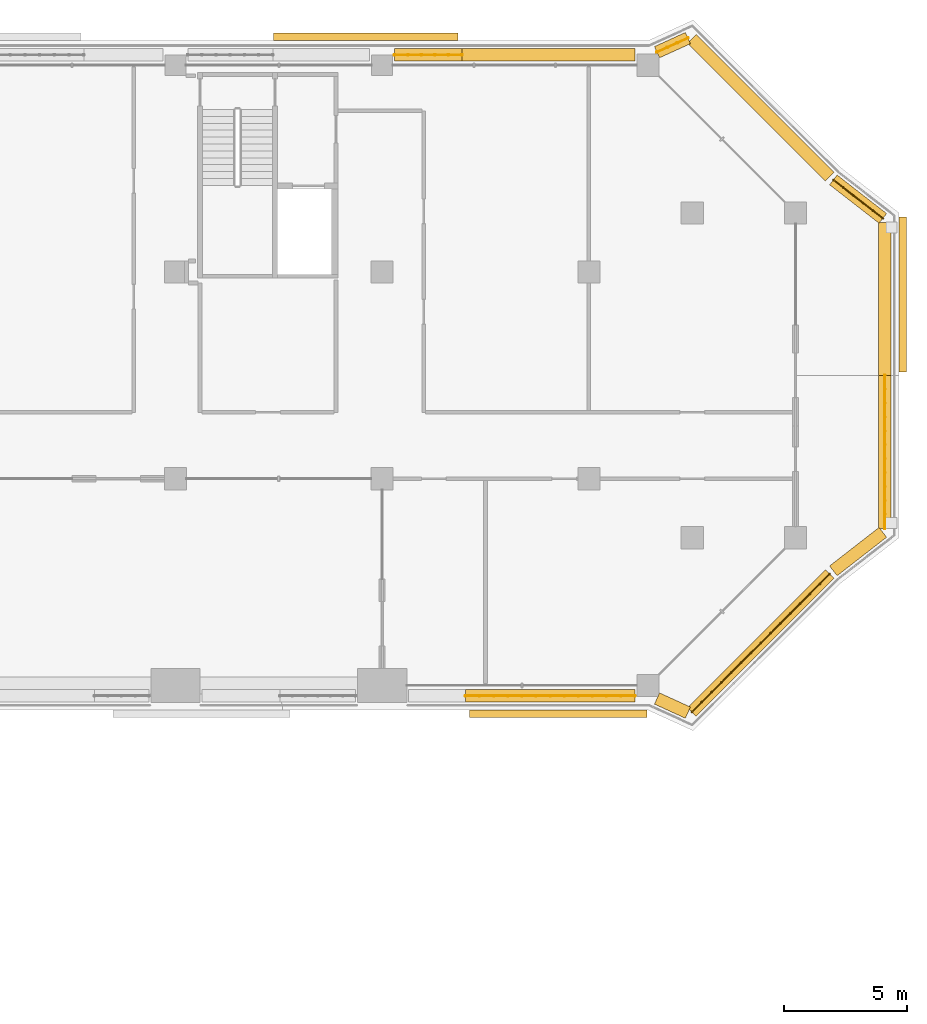
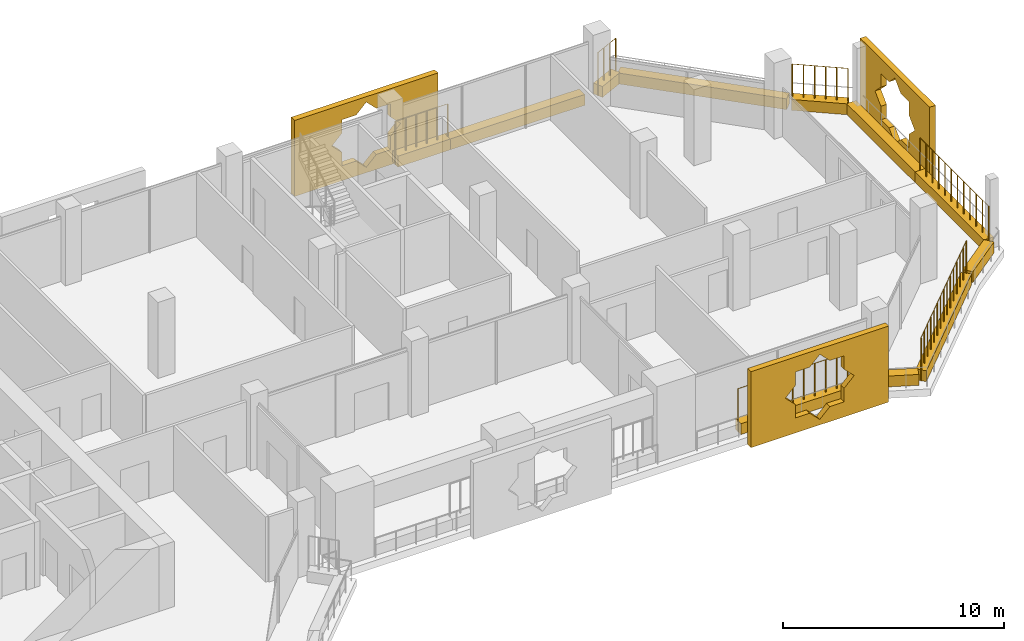
# One storey, part 24 of 24: 14 coverings, 6 railings.
"""IFC4 building model written with IfcOpenShell, lengths in metres."""

from ifc_helpers import new_model, si_unit, direction, frame, origin, origin_2d, place, context, subcontext, project, spatial, polyline, rectangle, circle, outline, extrude, material, material_profile, profile_set, type_object, element, save


model = new_model("IFC4")

# Units and contexts
model_context = context("Model", 3, precision=1e-05, world=origin(), true_north=direction((0.0, 1.0)))
body_context = subcontext(model_context, "Body", "Model", "MODEL_VIEW")
ifc_project = project(units=[si_unit("LENGTHUNIT", "METRE"), si_unit("AREAUNIT", "SQUARE_METRE"), si_unit("VOLUMEUNIT", "CUBIC_METRE"), si_unit("PLANEANGLEUNIT", "RADIAN"), si_unit("MASSUNIT", "GRAM", prefix="KILO")], contexts=[model_context])

# Site, building, storey
site_placement = place(None, origin())
site = spatial("IfcSite", under=ifc_project, at=site_placement, CompositionType="ELEMENT")
building_placement = place(site_placement, origin())
building = spatial("IfcBuilding", under=site, at=building_placement, Name="Kawkab Arch Medical Tower", CompositionType="ELEMENT")
storey_placement = place(building_placement, frame((0.0, 0.0, 218.0)))
storey = spatial("IfcBuildingStorey", under=building, at=storey_placement, Name="L50", CompositionType="ELEMENT", Elevation=218.0)

# Coverings
ifc_material_1 = material(Name="Bronze anodised aluminium mashrabiya panel, eight-point star pattern", Category="aluminium")
ifc_material_profile_1 = material_profile(ifc_material_1, outline(polyline([(-3.14990234375, -2.10009765625), (3.14990234375, -2.10009765625), (3.14990234375, 2.10009765625), (-3.14990234375, 2.10009765625), (-3.14990234375, -2.10009765625)]), holes=[polyline([(1.800048828125, 0.0), (1.272705078125, 0.527099609375), (1.272705078125, 1.272705078125), (0.527099609375, 1.272705078125), (0.0, 1.800048828125), (-0.527099609375, 1.272705078125), (-1.272705078125, 1.272705078125), (-1.272705078125, 0.527099609375), (-1.800048828125, 0.0), (-1.272705078125, -0.527099609375), (-1.272705078125, -1.272705078125), (-0.527099609375, -1.272705078125), (0.0, -1.800048828125), (0.527099609375, -1.272705078125), (1.272705078125, -1.272705078125), (1.272705078125, -0.527099609375), (1.800048828125, 0.0)])]), Name="Mashrabiya panel 6300x4200")
ifc_profile_set_1 = profile_set([ifc_material_profile_1], Name="Bronze anodised aluminium mashrabiya panel, eight-point star pattern")
covering_type_1 = type_object("IfcCoveringType", Name="Mashrabiya panel 6300 x 4200", PredefinedType="USERDEFINED", material=ifc_profile_set_1)
covering_1_placement = place(storey_placement, frame((71.39990234375, -9.322509765625, 1.699951171875), z_axis=(1.0, 0.0, 0.0), x_axis=(0.0, 1.0, 0.0)))
element("IfcCovering", 1, at=covering_1_placement, inside=storey, type_object=covering_type_1, Name="Mashrabiya panel L50.LOG-01-01.7", ObjectType="SCREEN", PredefinedType="USERDEFINED", context=body_context, shape_type="SweptSolid", body=[
    extrude(outline(polyline([(-3.14990234375, -2.10009765625), (3.14990234375, -2.10009765625), (3.14990234375, 2.10009765625), (-3.14990234375, 2.10009765625), (-3.14990234375, -2.10009765625)]), holes=[polyline([(1.800048828125, 0.0), (1.272705078125, 0.527099609375), (1.272705078125, 1.272705078125), (0.527099609375, 1.272705078125), (0.0, 1.800048828125), (-0.527099609375, 1.272705078125), (-1.272705078125, 1.272705078125), (-1.272705078125, 0.527099609375), (-1.800048828125, 0.0), (-1.272705078125, -0.527099609375), (-1.272705078125, -1.272705078125), (-0.527099609375, -1.272705078125), (0.0, -1.800048828125), (0.527099609375, -1.272705078125), (1.272705078125, -1.272705078125), (1.272705078125, -0.527099609375), (1.800048828125, 0.0)])]), origin(), (0.0, 0.0, 1.0), 0.300048828125),
])
ifc_material_2 = material(Name="Bronze anodised aluminium mashrabiya panel, eight-point star pattern", Category="aluminium")
ifc_material_profile_2 = material_profile(ifc_material_2, outline(polyline([(-3.60009765625, -2.10009765625), (3.60009765625, -2.10009765625), (3.60009765625, 2.10009765625), (-3.60009765625, 2.10009765625), (-3.60009765625, -2.10009765625)]), holes=[polyline([(1.800048828125, 0.0), (1.272705078125, 0.527099609375), (1.272705078125, 1.272705078125), (0.527099609375, 1.272705078125), (0.0, 1.800048828125), (-0.527099609375, 1.272705078125), (-1.272705078125, 1.272705078125), (-1.272705078125, 0.527099609375), (-1.800048828125, 0.0), (-1.272705078125, -0.527099609375), (-1.272705078125, -1.272705078125), (-0.527099609375, -1.272705078125), (0.0, -1.800048828125), (0.527099609375, -1.272705078125), (1.272705078125, -1.272705078125), (1.272705078125, -0.527099609375), (1.800048828125, 0.0)])]), Name="Mashrabiya panel 7200x4200")
ifc_profile_set_2 = profile_set([ifc_material_profile_2], Name="Bronze anodised aluminium mashrabiya panel, eight-point star pattern")
covering_type_2 = type_object("IfcCoveringType", Name="Mashrabiya panel 7200 x 4200", PredefinedType="USERDEFINED", material=ifc_profile_set_2)
covering_2_placement = place(storey_placement, frame((57.5546875, -26.199951171875, 1.699951171875), z_axis=(0.0, -1.0, 0.0), x_axis=(1.0, 0.0, 0.0)))
element("IfcCovering", 2, at=covering_2_placement, inside=storey, type_object=covering_type_2, Name="Mashrabiya panel L50.LOG-01-01.8", ObjectType="SCREEN", PredefinedType="USERDEFINED", context=body_context, shape_type="SweptSolid", body=[
    extrude(outline(polyline([(-3.60009765625, -2.10009765625), (3.60009765625, -2.10009765625), (3.60009765625, 2.10009765625), (-3.60009765625, 2.10009765625), (-3.60009765625, -2.10009765625)]), holes=[polyline([(1.800048828125, 0.0), (1.272705078125, 0.527099609375), (1.272705078125, 1.272705078125), (0.527099609375, 1.272705078125), (0.0, 1.800048828125), (-0.527099609375, 1.272705078125), (-1.272705078125, 1.272705078125), (-1.272705078125, 0.527099609375), (-1.800048828125, 0.0), (-1.272705078125, -0.527099609375), (-1.272705078125, -1.272705078125), (-0.527099609375, -1.272705078125), (0.0, -1.800048828125), (0.527099609375, -1.272705078125), (1.272705078125, -1.272705078125), (1.272705078125, -0.527099609375), (1.800048828125, 0.0)])]), origin(), (0.0, 0.0, 1.0), 0.300048828125),
])
ifc_material_3 = material(Name="Bronze anodised aluminium mashrabiya panel, eight-point star pattern", Category="aluminium")
ifc_material_profile_3 = material_profile(ifc_material_3, outline(polyline([(-3.75, -2.10009765625), (3.75, -2.10009765625), (3.75, 2.10009765625), (-3.75, 2.10009765625), (-3.75, -2.10009765625)]), holes=[polyline([(1.800048828125, 0.0), (1.272705078125, 0.527099609375), (1.272705078125, 1.272705078125), (0.527099609375, 1.272705078125), (0.0, 1.800048828125), (-0.527099609375, 1.272705078125), (-1.272705078125, 1.272705078125), (-1.272705078125, 0.527099609375), (-1.800048828125, 0.0), (-1.272705078125, -0.527099609375), (-1.272705078125, -1.272705078125), (-0.527099609375, -1.272705078125), (0.0, -1.800048828125), (0.527099609375, -1.272705078125), (1.272705078125, -1.272705078125), (1.272705078125, -0.527099609375), (1.800048828125, 0.0)])]), Name="Mashrabiya panel 7500x4200")
ifc_profile_set_3 = profile_set([ifc_material_profile_3], Name="Bronze anodised aluminium mashrabiya panel, eight-point star pattern")
covering_type_3 = type_object("IfcCoveringType", Name="Mashrabiya panel 7500 x 4200", PredefinedType="USERDEFINED", material=ifc_profile_set_3)
covering_3_placement = place(storey_placement, frame((49.726318359375, 1.0, 1.699951171875), z_axis=(0.0, 1.0, 0.0), x_axis=(-1.0, 0.0, 0.0)))
element("IfcCovering", 3, at=covering_3_placement, inside=storey, type_object=covering_type_3, Name="Mashrabiya panel L50.LOG-01-01.6", ObjectType="SCREEN", PredefinedType="USERDEFINED", context=body_context, shape_type="SweptSolid", body=[
    extrude(outline(polyline([(-3.75, -2.10009765625), (3.75, -2.10009765625), (3.75, 2.10009765625), (-3.75, 2.10009765625), (-3.75, -2.10009765625)]), holes=[polyline([(1.800048828125, 0.0), (1.272705078125, 0.527099609375), (1.272705078125, 1.272705078125), (0.527099609375, 1.272705078125), (0.0, 1.800048828125), (-0.527099609375, 1.272705078125), (-1.272705078125, 1.272705078125), (-1.272705078125, 0.527099609375), (-1.800048828125, 0.0), (-1.272705078125, -0.527099609375), (-1.272705078125, -1.272705078125), (-0.527099609375, -1.272705078125), (0.0, -1.800048828125), (0.527099609375, -1.272705078125), (1.272705078125, -1.272705078125), (1.272705078125, -0.527099609375), (1.800048828125, 0.0)])]), origin(), (0.0, 0.0, 1.0), 0.300048828125),
])
ifc_material_4 = material(Name="Planting soil in a precast trough", Category="concrete")
ifc_material_profile_4 = material_profile(ifc_material_4, rectangle(XDim=0.5, YDim=0.60009765625, at=origin_2d()), Name="Trough 500x600")
ifc_profile_set_4 = profile_set([ifc_material_profile_4], Name="Planting soil in a precast trough")
covering_type_4 = type_object("IfcCoveringType", Name="Planter trough 500 x 600", PredefinedType="USERDEFINED", material=ifc_profile_set_4)
covering_4_placement = place(storey_placement, frame((50.905029296875, 0.419921875, 0.300048828125), z_axis=(1.0, 0.0, 0.0), x_axis=(0.0, 1.0, 0.0)))
element("IfcCovering", 4, at=covering_4_placement, inside=storey, type_object=covering_type_4, Name="Planter L50.LOG-01-01.23", ObjectType="PLANTER", PredefinedType="USERDEFINED", context=body_context, shape_type="SweptSolid", body=[
    extrude(rectangle(XDim=0.5, YDim=0.60009765625, at=origin_2d()), origin(), (0.0, 0.0, 1.0), 2.739013671875),
])
covering_5_placement = place(storey_placement, frame((53.64404296875, 0.419921875, 0.300048828125), z_axis=(1.0, 0.0, 0.0), x_axis=(0.0, 1.0, 0.0)))
element("IfcCovering", 5, at=covering_5_placement, inside=storey, type_object=covering_type_4, Name="Planter L50.LOG-01-01.24", ObjectType="PLANTER", PredefinedType="USERDEFINED", context=body_context, shape_type="SweptSolid", body=[
    extrude(rectangle(XDim=0.5, YDim=0.60009765625, at=origin_2d()), origin(), (0.0, 0.0, 1.0), 7.02587890625),
])
covering_6_placement = place(storey_placement, frame((61.56689453125, 0.530029296875, 0.300048828125), z_axis=(0.909831953447, 0.41497688669, 0.0), x_axis=(-0.41497688669, 0.909831953447, 0.0)))
element("IfcCovering", 6, at=covering_6_placement, inside=storey, type_object=covering_type_4, Name="Planter L50.LOG-01-01.25", ObjectType="PLANTER", PredefinedType="USERDEFINED", context=body_context, shape_type="SweptSolid", body=[
    extrude(rectangle(XDim=0.5, YDim=0.60009765625, at=origin_2d()), origin(), (0.0, 0.0, 1.0), 1.37841796875),
])
covering_7_placement = place(storey_placement, frame((62.98291015625, 1.072998046875, 0.300048828125), z_axis=(0.707106781187, -0.707106781187, 0.0), x_axis=(0.707106781187, 0.707106781187, 0.0)))
element("IfcCovering", 7, at=covering_7_placement, inside=storey, type_object=covering_type_4, Name="Planter L50.LOG-01-01.26", ObjectType="PLANTER", PredefinedType="USERDEFINED", context=body_context, shape_type="SweptSolid", body=[
    extrude(rectangle(XDim=0.5, YDim=0.60009765625, at=origin_2d()), origin(), (0.0, 0.0, 1.0), 7.919677734375),
])
covering_8_placement = place(storey_placement, frame((68.73193359375, -4.658935546875, 0.300048828125), z_axis=(0.789274742246, -0.61404021143, 0.0), x_axis=(0.61404021143, 0.789274742246, 0.0)))
element("IfcCovering", 8, at=covering_8_placement, inside=storey, type_object=covering_type_4, Name="Planter L50.LOG-01-01.27", ObjectType="PLANTER", PredefinedType="USERDEFINED", context=body_context, shape_type="SweptSolid", body=[
    extrude(rectangle(XDim=0.5, YDim=0.60009765625, at=origin_2d()), origin(), (0.0, 0.0, 1.0), 2.54541015625),
])
covering_9_placement = place(storey_placement, frame((70.820068359375, -6.384033203125, 0.300048828125), z_axis=(0.0, -1.0, 0.0), x_axis=(1.0, 0.0, 0.0)))
element("IfcCovering", 9, at=covering_9_placement, inside=storey, type_object=covering_type_4, Name="Planter L50.LOG-01-01.28", ObjectType="PLANTER", PredefinedType="USERDEFINED", context=body_context, shape_type="SweptSolid", body=[
    extrude(rectangle(XDim=0.5, YDim=0.60009765625, at=origin_2d()), origin(), (0.0, 0.0, 1.0), 6.216064453125),
])
covering_10_placement = place(storey_placement, frame((70.820068359375, -12.60009765625, 0.300048828125), z_axis=(0.0, -1.0, 0.0), x_axis=(1.0, 0.0, 0.0)))
element("IfcCovering", 10, at=covering_10_placement, inside=storey, type_object=covering_type_4, Name="Planter L50.LOG-01-01.29", ObjectType="PLANTER", PredefinedType="USERDEFINED", context=body_context, shape_type="SweptSolid", body=[
    extrude(rectangle(XDim=0.5, YDim=0.60009765625, at=origin_2d()), origin(), (0.0, 0.0, 1.0), 6.2158203125),
])
covering_11_placement = place(storey_placement, frame((70.740966796875, -18.97802734375, 0.300048828125), z_axis=(-0.789274742246, -0.61404021143, 0.0), x_axis=(0.61404021143, -0.789274742246, 0.0)))
element("IfcCovering", 11, at=covering_11_placement, inside=storey, type_object=covering_type_4, Name="Planter L50.LOG-01-01.30", ObjectType="PLANTER", PredefinedType="USERDEFINED", context=body_context, shape_type="SweptSolid", body=[
    extrude(rectangle(XDim=0.5, YDim=0.60009765625, at=origin_2d()), origin(), (0.0, 0.0, 1.0), 2.54541015625),
])
covering_12_placement = place(storey_placement, frame((68.5830078125, -20.673095703125, 0.300048828125), z_axis=(-0.70712219479, -0.707091367247, 0.0), x_axis=(0.707091367247, -0.70712219479, 0.0)))
element("IfcCovering", 12, at=covering_12_placement, inside=storey, type_object=covering_type_4, Name="Planter L50.LOG-01-01.31", ObjectType="PLANTER", PredefinedType="USERDEFINED", context=body_context, shape_type="SweptSolid", body=[
    extrude(rectangle(XDim=0.5, YDim=0.60009765625, at=origin_2d()), origin(), (0.0, 0.0, 1.0), 7.919677734375),
])
covering_13_placement = place(storey_placement, frame((62.821044921875, -26.302001953125, 0.300048828125), z_axis=(-0.909831953447, 0.41497688669, 0.0), x_axis=(-0.41497688669, -0.909831953447, 0.0)))
element("IfcCovering", 13, at=covering_13_placement, inside=storey, type_object=covering_type_4, Name="Planter L50.LOG-01-01.32", ObjectType="PLANTER", PredefinedType="USERDEFINED", context=body_context, shape_type="SweptSolid", body=[
    extrude(rectangle(XDim=0.5, YDim=0.60009765625, at=origin_2d()), origin(), (0.0, 0.0, 1.0), 1.37841796875),
])
covering_14_placement = place(storey_placement, frame((60.669921875, -25.6201171875, 0.300048828125), z_axis=(-1.0, 0.0, 0.0), x_axis=(0.0, -1.0, 0.0)))
element("IfcCovering", 14, at=covering_14_placement, inside=storey, type_object=covering_type_4, Name="Planter L50.LOG-01-01.33", ObjectType="PLANTER", PredefinedType="USERDEFINED", context=body_context, shape_type="SweptSolid", body=[
    extrude(rectangle(XDim=0.5, YDim=0.60009765625, at=origin_2d()), origin(), (0.0, 0.0, 1.0), 6.87890625),
])

# Railings
ifc_material_5 = material(Name="Bronze anodised aluminium trellis for climbing plants", Category="aluminium")
railing_type = type_object("IfcRailingType", Name="Planting trellis 2400", PredefinedType="USERDEFINED", material=ifc_material_5)
railing_1_placement = place(storey_placement, frame((50.905029296875, 0.419921875, 0.0)))
element("IfcRailing", 15, at=railing_1_placement, inside=storey, type_object=railing_type, Name="Planting trellis L50.LOG-01-01.23", ObjectType="TRELLIS", PredefinedType="USERDEFINED", context=body_context, shape_type="SweptSolid", body=[
    extrude(circle(Radius=0.01513671875, at=origin_2d()), frame((0.0, 0.0, 2.384765625), z_axis=(1.0, 0.0, 0.0), x_axis=(0.0, 1.0, 0.0)), (0.0, 0.0, 1.0), 2.739013671875),
    extrude(circle(Radius=0.030029296875, at=origin_2d()), origin(), (0.0, 0.0, 1.0), 2.369873046875),
    extrude(circle(Radius=0.030029296875, at=origin_2d()), frame((0.5478515625, 0.0, 0.0)), (0.0, 0.0, 1.0), 2.369873046875),
    extrude(circle(Radius=0.030029296875, at=origin_2d()), frame((1.095703125, 0.0, 0.0)), (0.0, 0.0, 1.0), 2.369873046875),
    extrude(circle(Radius=0.030029296875, at=origin_2d()), frame((1.643310546875, 0.0, 0.0)), (0.0, 0.0, 1.0), 2.369873046875),
    extrude(circle(Radius=0.030029296875, at=origin_2d()), frame((2.191162109375, 0.0, 0.0)), (0.0, 0.0, 1.0), 2.369873046875),
    extrude(circle(Radius=0.030029296875, at=origin_2d()), frame((2.739013671875, 0.0, 0.0)), (0.0, 0.0, 1.0), 2.369873046875),
])
railing_2_placement = place(storey_placement, frame((61.56689453125, 0.530029296875, 0.0)))
element("IfcRailing", 16, at=railing_2_placement, inside=storey, type_object=railing_type, Name="Planting trellis L50.LOG-01-01.25", ObjectType="TRELLIS", PredefinedType="USERDEFINED", context=body_context, shape_type="SweptSolid", body=[
    extrude(circle(Radius=0.01513671875, at=origin_2d()), frame((0.0, 0.0, 2.384765625), z_axis=(0.909831953447, 0.41497688669, 0.0), x_axis=(-0.41497688669, 0.909831953447, 0.0)), (0.0, 0.0, 1.0), 1.37841796875),
    extrude(circle(Radius=0.030029296875, at=origin_2d()), origin(), (0.0, 0.0, 1.0), 2.369873046875),
    extrude(circle(Radius=0.030029296875, at=origin_2d()), frame((0.41796875, 0.190673828125, 0.0)), (0.0, 0.0, 1.0), 2.369873046875),
    extrude(circle(Radius=0.030029296875, at=origin_2d()), frame((0.836181640625, 0.38134765625, 0.0)), (0.0, 0.0, 1.0), 2.369873046875),
    extrude(circle(Radius=0.030029296875, at=origin_2d()), frame((1.254150390625, 0.572021484375, 0.0)), (0.0, 0.0, 1.0), 2.369873046875),
])
railing_3_placement = place(storey_placement, frame((68.73193359375, -4.658935546875, 0.0)))
element("IfcRailing", 17, at=railing_3_placement, inside=storey, type_object=railing_type, Name="Planting trellis L50.LOG-01-01.27", ObjectType="TRELLIS", PredefinedType="USERDEFINED", context=body_context, shape_type="SweptSolid", body=[
    extrude(circle(Radius=0.01513671875, at=origin_2d()), frame((0.0, 0.0, 2.384765625), z_axis=(0.789274742246, -0.61404021143, 0.0), x_axis=(0.61404021143, 0.789274742246, 0.0)), (0.0, 0.0, 1.0), 2.54541015625),
    extrude(circle(Radius=0.030029296875, at=origin_2d()), origin(), (0.0, 0.0, 1.0), 2.369873046875),
    extrude(circle(Radius=0.030029296875, at=origin_2d()), frame((0.40185546875, -0.3125, 0.0)), (0.0, 0.0, 1.0), 2.369873046875),
    extrude(circle(Radius=0.030029296875, at=origin_2d()), frame((0.8037109375, -0.625244140625, 0.0)), (0.0, 0.0, 1.0), 2.369873046875),
    extrude(circle(Radius=0.030029296875, at=origin_2d()), frame((1.205322265625, -0.937744140625, 0.0)), (0.0, 0.0, 1.0), 2.369873046875),
    extrude(circle(Radius=0.030029296875, at=origin_2d()), frame((1.607177734375, -1.25048828125, 0.0)), (0.0, 0.0, 1.0), 2.369873046875),
    extrude(circle(Radius=0.030029296875, at=origin_2d()), frame((2.009033203125, -1.56298828125, 0.0)), (0.0, 0.0, 1.0), 2.369873046875),
])
railing_4_placement = place(storey_placement, frame((70.820068359375, -12.60009765625, 0.0)))
element("IfcRailing", 18, at=railing_4_placement, inside=storey, type_object=railing_type, Name="Planting trellis L50.LOG-01-01.29", ObjectType="TRELLIS", PredefinedType="USERDEFINED", context=body_context, shape_type="SweptSolid", body=[
    extrude(circle(Radius=0.01513671875, at=origin_2d()), frame((0.0, 0.0, 2.384765625), z_axis=(0.0, -1.0, 0.0), x_axis=(1.0, 0.0, 0.0)), (0.0, 0.0, 1.0), 6.2158203125),
    extrude(circle(Radius=0.030029296875, at=origin_2d()), origin(), (0.0, 0.0, 1.0), 2.369873046875),
    extrude(circle(Radius=0.030029296875, at=origin_2d()), frame((0.0, -0.565185546875, 0.0)), (0.0, 0.0, 1.0), 2.369873046875),
    extrude(circle(Radius=0.030029296875, at=origin_2d()), frame((0.0, -1.130126953125, 0.0)), (0.0, 0.0, 1.0), 2.369873046875),
    extrude(circle(Radius=0.030029296875, at=origin_2d()), frame((0.0, -1.6953125, 0.0)), (0.0, 0.0, 1.0), 2.369873046875),
    extrude(circle(Radius=0.030029296875, at=origin_2d()), frame((0.0, -2.26025390625, 0.0)), (0.0, 0.0, 1.0), 2.369873046875),
    extrude(circle(Radius=0.030029296875, at=origin_2d()), frame((0.0, -2.825439453125, 0.0)), (0.0, 0.0, 1.0), 2.369873046875),
    extrude(circle(Radius=0.030029296875, at=origin_2d()), frame((0.0, -3.390380859375, 0.0)), (0.0, 0.0, 1.0), 2.369873046875),
    extrude(circle(Radius=0.030029296875, at=origin_2d()), frame((0.0, -3.95556640625, 0.0)), (0.0, 0.0, 1.0), 2.369873046875),
    extrude(circle(Radius=0.030029296875, at=origin_2d()), frame((0.0, -4.5205078125, 0.0)), (0.0, 0.0, 1.0), 2.369873046875),
    extrude(circle(Radius=0.030029296875, at=origin_2d()), frame((0.0, -5.085693359375, 0.0)), (0.0, 0.0, 1.0), 2.369873046875),
    extrude(circle(Radius=0.030029296875, at=origin_2d()), frame((0.0, -5.650634765625, 0.0)), (0.0, 0.0, 1.0), 2.369873046875),
    extrude(circle(Radius=0.030029296875, at=origin_2d()), frame((0.0, -6.2158203125, 0.0)), (0.0, 0.0, 1.0), 2.369873046875),
])
railing_5_placement = place(storey_placement, frame((68.5830078125, -20.673095703125, 0.0)))
element("IfcRailing", 19, at=railing_5_placement, inside=storey, type_object=railing_type, Name="Planting trellis L50.LOG-01-01.31", ObjectType="TRELLIS", PredefinedType="USERDEFINED", context=body_context, shape_type="SweptSolid", body=[
    extrude(circle(Radius=0.01513671875, at=origin_2d()), frame((0.0, 0.0, 2.384765625), z_axis=(-0.70712219479, -0.707091367247, 0.0), x_axis=(0.707091367247, -0.70712219479, 0.0)), (0.0, 0.0, 1.0), 7.919677734375),
    extrude(circle(Radius=0.030029296875, at=origin_2d()), origin(), (0.0, 0.0, 1.0), 2.369873046875),
    extrude(circle(Radius=0.030029296875, at=origin_2d()), frame((-0.39990234375, -0.39990234375, 0.0)), (0.0, 0.0, 1.0), 2.369873046875),
    extrude(circle(Radius=0.030029296875, at=origin_2d()), frame((-0.800048828125, -0.800048828125, 0.0)), (0.0, 0.0, 1.0), 2.369873046875),
    extrude(circle(Radius=0.030029296875, at=origin_2d()), frame((-1.199951171875, -1.199951171875, 0.0)), (0.0, 0.0, 1.0), 2.369873046875),
    extrude(circle(Radius=0.030029296875, at=origin_2d()), frame((-1.60009765625, -1.599853515625, 0.0)), (0.0, 0.0, 1.0), 2.369873046875),
    extrude(circle(Radius=0.030029296875, at=origin_2d()), frame((-2.0, -2.0, 0.0)), (0.0, 0.0, 1.0), 2.369873046875),
    extrude(circle(Radius=0.030029296875, at=origin_2d()), frame((-2.400146484375, -2.39990234375, 0.0)), (0.0, 0.0, 1.0), 2.369873046875),
    extrude(circle(Radius=0.030029296875, at=origin_2d()), frame((-2.800048828125, -2.7998046875, 0.0)), (0.0, 0.0, 1.0), 2.369873046875),
    extrude(circle(Radius=0.030029296875, at=origin_2d()), frame((-3.199951171875, -3.199951171875, 0.0)), (0.0, 0.0, 1.0), 2.369873046875),
    extrude(circle(Radius=0.030029296875, at=origin_2d()), frame((-3.60009765625, -3.599853515625, 0.0)), (0.0, 0.0, 1.0), 2.369873046875),
    extrude(circle(Radius=0.030029296875, at=origin_2d()), frame((-4.0, -4.0, 0.0)), (0.0, 0.0, 1.0), 2.369873046875),
    extrude(circle(Radius=0.030029296875, at=origin_2d()), frame((-4.400146484375, -4.39990234375, 0.0)), (0.0, 0.0, 1.0), 2.369873046875),
    extrude(circle(Radius=0.030029296875, at=origin_2d()), frame((-4.800048828125, -4.7998046875, 0.0)), (0.0, 0.0, 1.0), 2.369873046875),
    extrude(circle(Radius=0.030029296875, at=origin_2d()), frame((-5.2001953125, -5.199951171875, 0.0)), (0.0, 0.0, 1.0), 2.369873046875),
    extrude(circle(Radius=0.030029296875, at=origin_2d()), frame((-5.60009765625, -5.599853515625, 0.0)), (0.0, 0.0, 1.0), 2.369873046875),
])
railing_6_placement = place(storey_placement, frame((60.669921875, -25.6201171875, 0.0)))
element("IfcRailing", 20, at=railing_6_placement, inside=storey, type_object=railing_type, Name="Planting trellis L50.LOG-01-01.33", ObjectType="TRELLIS", PredefinedType="USERDEFINED", context=body_context, shape_type="SweptSolid", body=[
    extrude(circle(Radius=0.01513671875, at=origin_2d()), frame((0.0, 0.0, 2.384765625), z_axis=(-1.0, 0.0, 0.0), x_axis=(0.0, -1.0, 0.0)), (0.0, 0.0, 1.0), 6.87890625),
    extrude(circle(Radius=0.030029296875, at=origin_2d()), origin(), (0.0, 0.0, 1.0), 2.369873046875),
    extrude(circle(Radius=0.030029296875, at=origin_2d()), frame((-0.5732421875, 0.0, 0.0)), (0.0, 0.0, 1.0), 2.369873046875),
    extrude(circle(Radius=0.030029296875, at=origin_2d()), frame((-1.146484375, 0.0, 0.0)), (0.0, 0.0, 1.0), 2.369873046875),
    extrude(circle(Radius=0.030029296875, at=origin_2d()), frame((-1.7197265625, 0.0, 0.0)), (0.0, 0.0, 1.0), 2.369873046875),
    extrude(circle(Radius=0.030029296875, at=origin_2d()), frame((-2.29296875, 0.0, 0.0)), (0.0, 0.0, 1.0), 2.369873046875),
    extrude(circle(Radius=0.030029296875, at=origin_2d()), frame((-2.8662109375, 0.0, 0.0)), (0.0, 0.0, 1.0), 2.369873046875),
    extrude(circle(Radius=0.030029296875, at=origin_2d()), frame((-3.439453125, 0.0, 0.0)), (0.0, 0.0, 1.0), 2.369873046875),
    extrude(circle(Radius=0.030029296875, at=origin_2d()), frame((-4.0126953125, 0.0, 0.0)), (0.0, 0.0, 1.0), 2.369873046875),
    extrude(circle(Radius=0.030029296875, at=origin_2d()), frame((-4.5859375, 0.0, 0.0)), (0.0, 0.0, 1.0), 2.369873046875),
    extrude(circle(Radius=0.030029296875, at=origin_2d()), frame((-5.1591796875, 0.0, 0.0)), (0.0, 0.0, 1.0), 2.369873046875),
    extrude(circle(Radius=0.030029296875, at=origin_2d()), frame((-5.732421875, 0.0, 0.0)), (0.0, 0.0, 1.0), 2.369873046875),
    extrude(circle(Radius=0.030029296875, at=origin_2d()), frame((-6.3056640625, 0.0, 0.0)), (0.0, 0.0, 1.0), 2.369873046875),
    extrude(circle(Radius=0.030029296875, at=origin_2d()), frame((-6.87890625, 0.0, 0.0)), (0.0, 0.0, 1.0), 2.369873046875),
])

save(model, "model.ifc")
